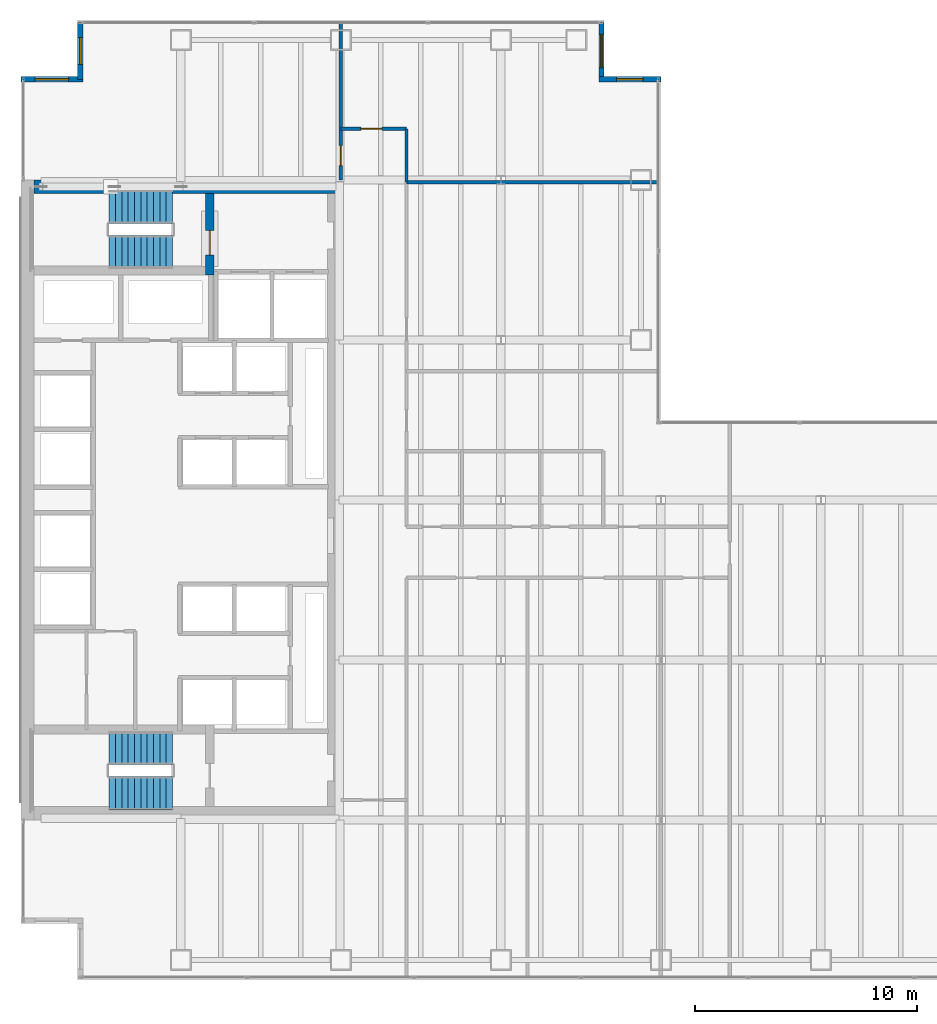
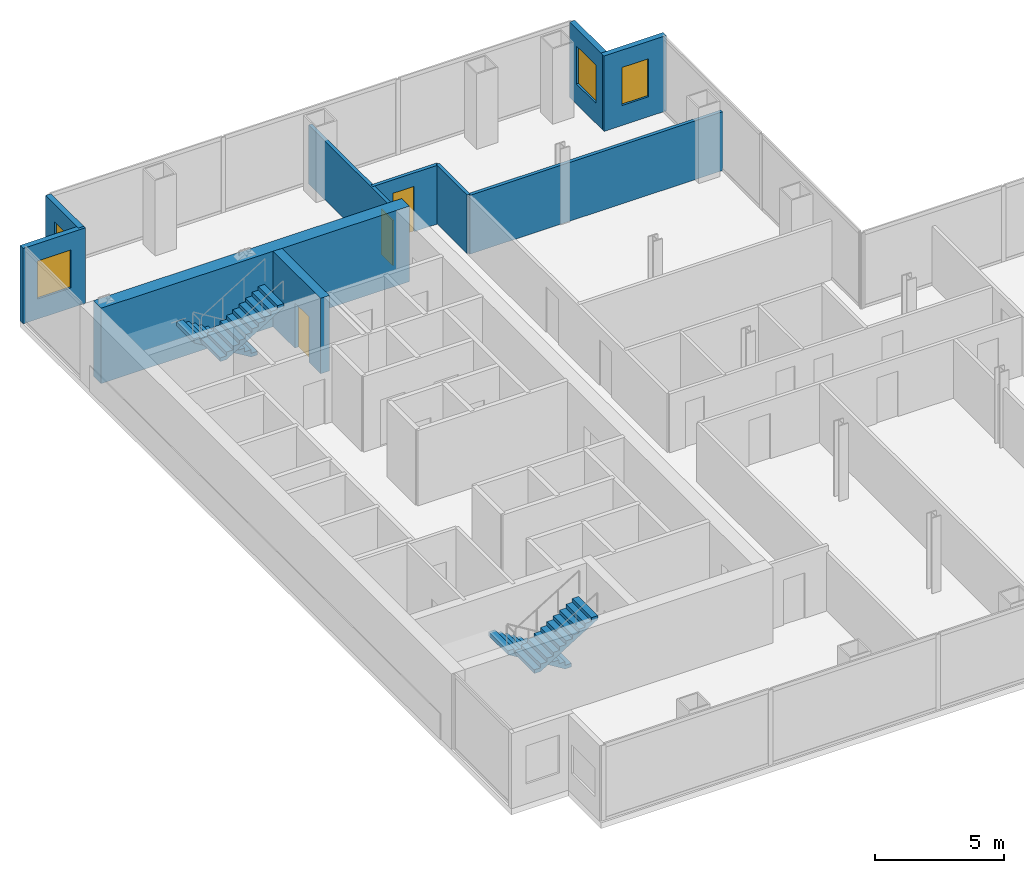
# One storey, part 22 of 23: 10 walls, 4 stair flights, 4 windows, 3 doors, 7 openings, 2 elements without a shape of their own.
"""IFC4 building model written with IfcOpenShell, lengths in metres."""

from ifc_helpers import new_model, si_unit, direction, frame, frame_2d, origin, place, context, subcontext, project, spatial, polyline, rectangle, outline, extrude, material, layer, layer_set, type_object, element, fill, aggregate, save


model = new_model("IFC4")

# Units and contexts
model_context = context("Model", 3, precision=1e-05, world=origin(), true_north=direction((0.0, 1.0)))
body_context = subcontext(model_context, "Body", "Model", "MODEL_VIEW")
ifc_project = project(units=[si_unit("LENGTHUNIT", "METRE"), si_unit("AREAUNIT", "SQUARE_METRE"), si_unit("VOLUMEUNIT", "CUBIC_METRE"), si_unit("PLANEANGLEUNIT", "RADIAN"), si_unit("MASSUNIT", "GRAM", prefix="KILO")], contexts=[model_context])

# Site, building, storey
site_placement = place(None, origin())
site = spatial("IfcSite", under=ifc_project, at=site_placement, CompositionType="ELEMENT")
building_placement = place(site_placement, origin())
building = spatial("IfcBuilding", under=site, at=building_placement, Name="Cobrela Telecom Tower", CompositionType="ELEMENT")
storey_placement = place(building_placement, frame((0.0, 0.0, 81.199951171875)))
storey = spatial("IfcBuildingStorey", under=building, at=storey_placement, Name="L20", CompositionType="ELEMENT", Elevation=81.199951171875)

# Wall
ifc_material_1 = material(Name="Concrete C50/60", Category="concrete")
ifc_layer_1 = layer(ifc_material_1, 0.60009765625)
ifc_layer_set_1 = layer_set([ifc_layer_1], Name="Concrete C50/60")
wall_type_1 = type_object("IfcWallType", Name="WALL-CORE-C50-600", PredefinedType="SHEAR", material=ifc_layer_set_1)
wall_1_placement = place(storey_placement, frame((0.60009765625, 35.699951171875, 0.0), z_axis=(0.0, 0.0, 1.0), x_axis=(1.0, 0.0, 0.0)))
element("IfcWall", 1, at=wall_1_placement, inside=storey, type_object=wall_type_1, Name="L20 North Core Shear Wall", PredefinedType="SHEAR", context=body_context, shape_type="SweptSolid", body=[
    extrude(rectangle(XDim=13.7998046875, YDim=0.60009765625, at=frame_2d((6.89990234375, 0.0))), origin(), (0.0, 0.0, 1.0), 3.570068359375),
])

# Wall, opening, window
ifc_material_2 = material(Name="Concrete C40/50", Category="concrete")
ifc_layer_2 = layer(ifc_material_2, 0.239990234375)
ifc_layer_set_2 = layer_set([ifc_layer_2], Name="Concrete C40/50")
wall_type_2 = type_object("IfcWallType", Name="WALL-EXT-300", PredefinedType="STANDARD", material=ifc_layer_set_2)
wall_2_placement = place(storey_placement, frame((0.0, 40.530029296875, 0.0), z_axis=(0.0, 0.0, 1.0), x_axis=(1.0, 0.0, 0.0)))
wall_2 = element("IfcWall", 2, at=wall_2_placement, inside=storey, type_object=wall_type_2, Name="L20 Insulated Facade Wall 05", PredefinedType="STANDARD", context=body_context, shape_type="SweptSolid", body=[
    extrude(rectangle(XDim=2.7900390625, YDim=0.239990234375, at=frame_2d((1.39501953125, 0.0))), origin(), (0.0, 0.0, 1.0), 3.570068359375),
])
opening_1_placement = place(wall_2_placement, frame((0.64501953125, 0.0, 0.949951171875)))
opening_1 = element("IfcOpeningElement", 3, at=opening_1_placement, cuts=wall_2, Name="Opening WN-45", PredefinedType="OPENING", context=body_context, shape_type="SweptSolid", body=[
    extrude(rectangle(XDim=1.5, YDim=1.800048828125, at=frame_2d((0.75, 0.89990234375))), frame((0.0, 0.1318359375, 0.0), z_axis=(0.0, -1.0, 0.0), x_axis=(1.0, 0.0, 0.0)), (0.0, 0.0, 1.0), 0.263916015625),
])
ifc_material_3 = material(Name="Solar-Control Bronze Low-E Glass", Category="glass")
window_type_1 = type_object("IfcWindowType", Name="WIN-MOD-1500", PartitioningType="SINGLE_PANEL", PredefinedType="WINDOW", material=ifc_material_3)
window_1_placement = place(opening_1_placement, origin())
window_1 = element("IfcWindow", 4, at=window_1_placement, inside=storey, type_object=window_type_1, Name="L20 Corner Notch Facade Window 092", OverallHeight=1.800048828125, OverallWidth=1.5, PartitioningType="SINGLE_PANEL", PredefinedType="WINDOW", context=body_context, shape_type="SweptSolid", body=[
    extrude(rectangle(XDim=1.5, YDim=1.800048828125, at=frame_2d((0.75, 0.89990234375))), frame((0.0, 0.030029296875, 0.0), z_axis=(0.0, -1.0, 0.0), x_axis=(1.0, 0.0, 0.0)), (0.0, 0.0, 1.0), 0.06005859375),
])
fill(opening_1, window_1)

wall_3_placement = place(storey_placement, frame((2.669921875, 40.530029296875, 0.0), z_axis=(0.0, 0.0, 1.0), x_axis=(0.0, 1.0, 0.0)))
wall_3 = element("IfcWall", 5, at=wall_3_placement, inside=storey, type_object=wall_type_2, Name="L20 Insulated Facade Wall 06", PredefinedType="STANDARD", context=body_context, shape_type="SweptSolid", body=[
    extrude(rectangle(XDim=2.550048828125, YDim=0.239990234375, at=frame_2d((1.27490234375, 0.0))), origin(), (0.0, 0.0, 1.0), 3.570068359375),
])
opening_2_placement = place(wall_3_placement, frame((0.675048828125, 0.0, 0.949951171875)))
opening_2 = element("IfcOpeningElement", 6, at=opening_2_placement, cuts=wall_3, Name="Opening WN-19", PredefinedType="OPENING", context=body_context, shape_type="SweptSolid", body=[
    extrude(rectangle(XDim=1.199951171875, YDim=1.800048828125, at=frame_2d((0.60009765625, 0.89990234375))), frame((0.0, 0.1318359375, 0.0), z_axis=(0.0, -1.0, 0.0), x_axis=(1.0, 0.0, 0.0)), (0.0, 0.0, 1.0), 0.263916015625),
])
window_type_2 = type_object("IfcWindowType", Name="WIN-MOD-1200", PartitioningType="SINGLE_PANEL", PredefinedType="WINDOW", material=ifc_material_3)
window_2_placement = place(opening_2_placement, origin())
window_2 = element("IfcWindow", 7, at=window_2_placement, inside=storey, type_object=window_type_2, Name="L20 Corner Notch Facade Window 093", OverallHeight=1.800048828125, OverallWidth=1.199951171875, PartitioningType="SINGLE_PANEL", PredefinedType="WINDOW", context=body_context, shape_type="SweptSolid", body=[
    extrude(rectangle(XDim=1.199951171875, YDim=1.800048828125, at=frame_2d((0.60009765625, 0.89990234375))), frame((0.0, 0.030029296875, 0.0), z_axis=(0.0, -1.0, 0.0), x_axis=(1.0, 0.0, 0.0)), (0.0, 0.0, 1.0), 0.06005859375),
])
fill(opening_2, window_2)

wall_4_placement = place(storey_placement, frame((26.1298828125, 43.080078125, 0.0), z_axis=(0.0, 0.0, 1.0), x_axis=(0.0, -1.0, 0.0)))
wall_4 = element("IfcWall", 8, at=wall_4_placement, inside=storey, type_object=wall_type_2, Name="L20 Insulated Facade Wall 08", PredefinedType="STANDARD", context=body_context, shape_type="SweptSolid", body=[
    extrude(rectangle(XDim=2.550048828125, YDim=0.239990234375, at=frame_2d((1.27490234375, 0.0))), origin(), (0.0, 0.0, 1.0), 3.570068359375),
])
opening_3_placement = place(wall_4_placement, frame((0.52490234375, 0.0, 0.949951171875)))
opening_3 = element("IfcOpeningElement", 9, at=opening_3_placement, cuts=wall_4, Name="Opening WN-45", PredefinedType="OPENING", context=body_context, shape_type="SweptSolid", body=[
    extrude(rectangle(XDim=1.5, YDim=1.800048828125, at=frame_2d((0.75, 0.89990234375))), frame((0.0, 0.1318359375, 0.0), z_axis=(0.0, -1.0, 0.0), x_axis=(1.0, 0.0, 0.0)), (0.0, 0.0, 1.0), 0.263916015625),
])
window_3_placement = place(opening_3_placement, origin())
window_3 = element("IfcWindow", 10, at=window_3_placement, inside=storey, type_object=window_type_1, Name="L20 Corner Notch Facade Window 094", OverallHeight=1.800048828125, OverallWidth=1.5, PartitioningType="SINGLE_PANEL", PredefinedType="WINDOW", context=body_context, shape_type="SweptSolid", body=[
    extrude(rectangle(XDim=1.5, YDim=1.800048828125, at=frame_2d((0.75, 0.89990234375))), frame((0.0, 0.030029296875, 0.0), z_axis=(0.0, -1.0, 0.0), x_axis=(1.0, 0.0, 0.0)), (0.0, 0.0, 1.0), 0.06005859375),
])
fill(opening_3, window_3)

wall_5_placement = place(storey_placement, frame((26.010009765625, 40.530029296875, 0.0), z_axis=(0.0, 0.0, 1.0), x_axis=(1.0, 0.0, 0.0)))
wall_5 = element("IfcWall", 11, at=wall_5_placement, inside=storey, type_object=wall_type_2, Name="L20 Insulated Facade Wall 09", PredefinedType="STANDARD", context=body_context, shape_type="SweptSolid", body=[
    extrude(rectangle(XDim=2.7900390625, YDim=0.239990234375, at=frame_2d((1.39501953125, 0.0))), origin(), (0.0, 0.0, 1.0), 3.570068359375),
])
opening_4_placement = place(wall_5_placement, frame((0.794921875, 0.0, 0.949951171875)))
opening_4 = element("IfcOpeningElement", 12, at=opening_4_placement, cuts=wall_5, Name="Opening WN-19", PredefinedType="OPENING", context=body_context, shape_type="SweptSolid", body=[
    extrude(rectangle(XDim=1.199951171875, YDim=1.800048828125, at=frame_2d((0.60009765625, 0.89990234375))), frame((0.0, 0.1318359375, 0.0), z_axis=(0.0, -1.0, 0.0), x_axis=(1.0, 0.0, 0.0)), (0.0, 0.0, 1.0), 0.263916015625),
])
window_4_placement = place(opening_4_placement, origin())
window_4 = element("IfcWindow", 13, at=window_4_placement, inside=storey, type_object=window_type_2, Name="L20 Corner Notch Facade Window 095", OverallHeight=1.800048828125, OverallWidth=1.199951171875, PartitioningType="SINGLE_PANEL", PredefinedType="WINDOW", context=body_context, shape_type="SweptSolid", body=[
    extrude(rectangle(XDim=1.199951171875, YDim=1.800048828125, at=frame_2d((0.60009765625, 0.89990234375))), frame((0.0, 0.030029296875, 0.0), z_axis=(0.0, -1.0, 0.0), x_axis=(1.0, 0.0, 0.0)), (0.0, 0.0, 1.0), 0.06005859375),
])
fill(opening_4, window_4)

# Wall, opening, door
ifc_material_4 = material(Name="Fire-Rated Gypsum Plasterboard")
ifc_layer_3 = layer(ifc_material_4, 0.14990234375)
ifc_layer_set_3 = layer_set([ifc_layer_3], Name="Fire-Rated Gypsum Plasterboard")
wall_type_3 = type_object("IfcWallType", Name="WALL-PART-150", PredefinedType="PARTITIONING", material=ifc_layer_set_3)
wall_6_placement = place(storey_placement, frame((14.39990234375, 36.0, 0.0), z_axis=(0.0, 0.0, 1.0), x_axis=(0.0, 1.0, 0.0)))
wall_6 = element("IfcWall", 14, at=wall_6_placement, inside=storey, type_object=wall_type_3, Name="L20 Interior Partition W-CN-W", PredefinedType="PARTITIONING", context=body_context, shape_type="SweptSolid", body=[
    extrude(rectangle(XDim=7.080078125, YDim=0.14990234375, at=frame_2d((3.5400390625, 0.0))), origin(), (0.0, 0.0, 1.0), 2.782958984375),
])
opening_5_placement = place(wall_6_placement, frame((0.64990234375, 0.0, 0.0)))
opening_5 = element("IfcOpeningElement", 15, at=opening_5_placement, cuts=wall_6, Name="Opening DR-41", PredefinedType="OPENING", context=body_context, shape_type="SweptSolid", body=[
    extrude(rectangle(XDim=0.89990234375, YDim=2.14990234375, at=frame_2d((0.449951171875, 1.074951171875))), frame((0.0, 0.0869140625, 0.0), z_axis=(0.0, -1.0, 0.0), x_axis=(1.0, 0.0, 0.0)), (0.0, 0.0, 1.0), 0.173828125),
])
ifc_material_5 = material(Name="Solid Engineered Oak Timber", Category="wood")
door_type_1 = type_object("IfcDoorType", Name="DOOR-INT-900", OperationType="SINGLE_SWING_LEFT", PredefinedType="DOOR", material=ifc_material_5)
door_1_placement = place(opening_5_placement, origin())
door_1 = element("IfcDoor", 16, at=door_1_placement, inside=storey, type_object=door_type_1, Name="L20 Door DR-41", OperationType="SINGLE_SWING_LEFT", OverallHeight=2.14990234375, OverallWidth=0.89990234375, PredefinedType="DOOR", context=body_context, shape_type="SweptSolid", body=[
    extrude(rectangle(XDim=0.89990234375, YDim=2.14990234375, at=frame_2d((0.449951171875, 1.074951171875))), frame((0.0, 0.02490234375, 0.0), z_axis=(0.0, -1.0, 0.0), x_axis=(1.0, 0.0, 0.0)), (0.0, 0.0, 1.0), 0.050048828125),
])
fill(opening_5, door_1)

# Wall
wall_7_placement = place(storey_placement, frame((17.35009765625, 35.89990234375, 0.0), z_axis=(0.0, 0.0, 1.0), x_axis=(0.0, 1.0, 0.0)))
element("IfcWall", 17, at=wall_7_placement, inside=storey, type_object=wall_type_3, Name="L20 Interior Partition W-CN-E", PredefinedType="PARTITIONING", context=body_context, shape_type="SweptSolid", body=[
    extrude(rectangle(XDim=2.400146484375, YDim=0.14990234375, at=frame_2d((1.2001953125, 0.0))), origin(), (0.0, 0.0, 1.0), 2.782958984375),
])

# Wall, opening, door
wall_8_placement = place(storey_placement, frame((14.39990234375, 38.300048828125, 0.0), z_axis=(0.0, 0.0, 1.0), x_axis=(1.0, 0.0, 0.0)))
wall_8 = element("IfcWall", 18, at=wall_8_placement, inside=storey, type_object=wall_type_3, Name="L20 Interior Partition W-CN-T", PredefinedType="PARTITIONING", context=body_context, shape_type="SweptSolid", body=[
    extrude(rectangle(XDim=2.9501953125, YDim=0.14990234375, at=frame_2d((1.47509765625, 0.0))), origin(), (0.0, 0.0, 1.0), 2.782958984375),
])
opening_6_placement = place(wall_8_placement, frame((0.89990234375, 0.0, 0.0)))
opening_6 = element("IfcOpeningElement", 19, at=opening_6_placement, cuts=wall_8, Name="Opening DR-67", PredefinedType="OPENING", context=body_context, shape_type="SweptSolid", body=[
    extrude(rectangle(XDim=0.949951171875, YDim=2.14990234375, at=frame_2d((0.47509765625, 1.074951171875))), frame((0.0, 0.0869140625, 0.0), z_axis=(0.0, -1.0, 0.0), x_axis=(1.0, 0.0, 0.0)), (0.0, 0.0, 1.0), 0.173828125),
])
door_type_2 = type_object("IfcDoorType", Name="DOOR-INT-950", OperationType="SINGLE_SWING_LEFT", PredefinedType="DOOR", material=ifc_material_5)
door_2_placement = place(opening_6_placement, origin())
door_2 = element("IfcDoor", 20, at=door_2_placement, inside=storey, type_object=door_type_2, Name="L20 Door DR-67", OperationType="SINGLE_SWING_RIGHT", OverallHeight=2.14990234375, OverallWidth=0.949951171875, PredefinedType="DOOR", context=body_context, shape_type="SweptSolid", body=[
    extrude(rectangle(XDim=0.949951171875, YDim=2.14990234375, at=frame_2d((0.47509765625, 1.074951171875))), frame((0.0, 0.02490234375, 0.0), z_axis=(0.0, -1.0, 0.0), x_axis=(1.0, 0.0, 0.0)), (0.0, 0.0, 1.0), 0.050048828125),
])
fill(opening_6, door_2)

# Wall
wall_9_placement = place(storey_placement, frame((17.35009765625, 35.89990234375, 0.0), z_axis=(0.0, 0.0, 1.0), x_axis=(1.0, 0.0, 0.0)))
element("IfcWall", 21, at=wall_9_placement, inside=storey, type_object=wall_type_3, Name="L20 Interior Partition W-NW2-S", PredefinedType="PARTITIONING", context=body_context, shape_type="SweptSolid", body=[
    extrude(rectangle(XDim=11.329833984375, YDim=0.14990234375, at=frame_2d((5.6650390625, 0.0))), origin(), (0.0, 0.0, 1.0), 2.782958984375),
])

# Wall, opening, door
ifc_layer_4 = layer(ifc_material_2, 0.39990234375)
ifc_layer_set_4 = layer_set([ifc_layer_4], Name="Concrete C40/50")
wall_type_4 = type_object("IfcWallType", Name="WALL-SHAFT-C40-400", PredefinedType="SHEAR", material=ifc_layer_set_4)
wall_10_placement = place(storey_placement, frame((8.5, 31.719970703125, 0.0), z_axis=(0.0, 0.0, 1.0), x_axis=(0.0, 1.0, 0.0)))
wall_10 = element("IfcWall", 22, at=wall_10_placement, inside=storey, type_object=wall_type_4, Name="L20 North Stair Lobby Shear Wall", PredefinedType="SHEAR", context=body_context, shape_type="SweptSolid", body=[
    extrude(rectangle(XDim=3.679931640625, YDim=0.39990234375, at=frame_2d((1.83984375, 0.0))), origin(), (0.0, 0.0, 1.0), 3.570068359375),
])
opening_7_placement = place(wall_10_placement, frame((0.89990234375, 0.0, 0.0)))
opening_7 = element("IfcOpeningElement", 23, at=opening_7_placement, cuts=wall_10, Name="Opening DR-59", PredefinedType="OPENING", context=body_context, shape_type="SweptSolid", body=[
    extrude(rectangle(XDim=1.10009765625, YDim=2.14990234375, at=frame_2d((0.550048828125, 1.074951171875))), frame((0.0, 0.2119140625, 0.0), z_axis=(0.0, -1.0, 0.0), x_axis=(1.0, 0.0, 0.0)), (0.0, 0.0, 1.0), 0.423828125),
])
ifc_material_6 = material(Name="Steel ASTM A36", Category="steel")
door_type_3 = type_object("IfcDoorType", Name="DOOR-FD60-1100", OperationType="SINGLE_SWING_LEFT", PredefinedType="DOOR", material=ifc_material_6)
door_3_placement = place(opening_7_placement, origin())
door_3 = element("IfcDoor", 24, at=door_3_placement, inside=storey, type_object=door_type_3, Name="L20 Door DR-59", OperationType="SINGLE_SWING_RIGHT", OverallHeight=2.14990234375, OverallWidth=1.10009765625, PredefinedType="DOOR", context=body_context, shape_type="SweptSolid", body=[
    extrude(rectangle(XDim=1.10009765625, YDim=2.14990234375, at=frame_2d((0.550048828125, 1.074951171875))), frame((0.0, 0.02490234375, 0.0), z_axis=(0.0, -1.0, 0.0), x_axis=(1.0, 0.0, 0.0)), (0.0, 0.0, 1.0), 0.050048828125),
])
fill(opening_7, door_3)

# Stair, stair flights
stair_type = type_object("IfcStairType", Name="STAIR-CORE", PredefinedType="HALF_TURN_STAIR", material=ifc_material_2)
stair_1_placement = place(storey_placement, origin())
stair_1 = element("IfcStair", 25, at=stair_1_placement, inside=storey, type_object=stair_type, Name="L20 Smokeproof Exit Stair ST1", PredefinedType="HALF_TURN_STAIR")
stair_flight_type = type_object("IfcStairFlightType", Name="FLIGHT-CORE", PredefinedType="STRAIGHT", material=ifc_material_2)
stair_flight_1_placement = place(storey_placement, frame((6.820068359375, 34.800048828125, 0.0), z_axis=(0.0, 0.0, 1.0), x_axis=(-1.0, 0.0, 0.0)))
stair_flight_1 = element("IfcStairFlight", 26, at=stair_flight_1_placement, type_object=stair_flight_type, Name="ST1 flight 1", NumberOfRisers=11, NumberOfTreads=10, PredefinedType="STRAIGHT", RiserHeight=0.175, TreadLength=0.285, context=body_context, shape_type="SweptSolid", body=[
    extrude(outline(polyline([(0.0, 0.0), (0.0, 0.175048828125), (0.284912109375, 0.175048828125), (0.284912109375, 0.35009765625), (0.570068359375, 0.35009765625), (0.570068359375, 0.52490234375), (0.85498046875, 0.52490234375), (0.85498046875, 0.699951171875), (1.139892578125, 0.699951171875), (1.139892578125, 0.875), (1.425048828125, 0.875), (1.425048828125, 1.050048828125), (1.7099609375, 1.050048828125), (1.7099609375, 1.22509765625), (1.9951171875, 1.22509765625), (1.9951171875, 1.39990234375), (2.280029296875, 1.39990234375), (2.280029296875, 1.574951171875), (2.56494140625, 1.574951171875), (2.56494140625, 1.75), (2.85009765625, 1.75), (2.85009765625, 1.925048828125), (2.85009765625, 1.573974609375), (0.286376953125, 0.0), (0.0, 0.0)])), frame((0.0, 0.75, 0.0), z_axis=(0.0, -1.0, 0.0), x_axis=(1.0, 0.0, 0.0)), (0.0, 0.0, 1.0), 1.5),
])
stair_flight_2_placement = place(storey_placement, frame((3.969970703125, 32.75, 1.925048828125), z_axis=(0.0, 0.0, 1.0), x_axis=(1.0, 0.0, 0.0)))
stair_flight_2 = element("IfcStairFlight", 27, at=stair_flight_2_placement, type_object=stair_flight_type, Name="ST1 flight 2", NumberOfRisers=11, NumberOfTreads=10, PredefinedType="STRAIGHT", RiserHeight=0.175, TreadLength=0.285, context=body_context, shape_type="SweptSolid", body=[
    extrude(outline(polyline([(0.0, 0.0), (0.0, 0.175048828125), (0.284912109375, 0.175048828125), (0.284912109375, 0.35009765625), (0.570068359375, 0.35009765625), (0.570068359375, 0.52490234375), (0.85498046875, 0.52490234375), (0.85498046875, 0.699951171875), (1.139892578125, 0.699951171875), (1.139892578125, 0.875), (1.425048828125, 0.875), (1.425048828125, 1.050048828125), (1.7099609375, 1.050048828125), (1.7099609375, 1.22509765625), (1.9951171875, 1.22509765625), (1.9951171875, 1.39990234375), (2.280029296875, 1.39990234375), (2.280029296875, 1.574951171875), (2.56494140625, 1.574951171875), (2.56494140625, 1.75), (2.85009765625, 1.75), (2.85009765625, 1.925048828125), (2.85009765625, 1.573974609375), (0.286376953125, 0.0), (0.0, 0.0)])), frame((0.0, 0.75, 0.0), z_axis=(0.0, -1.0, 0.0), x_axis=(1.0, 0.0, 0.0)), (0.0, 0.0, 1.0), 1.5),
])
aggregate(stair_1, [stair_flight_1, stair_flight_2])

stair_2_placement = place(storey_placement, origin())
stair_2 = element("IfcStair", 28, at=stair_2_placement, inside=storey, type_object=stair_type, Name="L20 Smokeproof Exit Stair ST2", PredefinedType="HALF_TURN_STAIR")
stair_flight_3_placement = place(storey_placement, frame((6.820068359375, 10.449951171875, 0.0), z_axis=(0.0, 0.0, 1.0), x_axis=(-1.0, 0.0, 0.0)))
stair_flight_3 = element("IfcStairFlight", 29, at=stair_flight_3_placement, type_object=stair_flight_type, Name="ST2 flight 1", NumberOfRisers=11, NumberOfTreads=10, PredefinedType="STRAIGHT", RiserHeight=0.175, TreadLength=0.285, context=body_context, shape_type="SweptSolid", body=[
    extrude(outline(polyline([(0.0, 0.0), (0.0, 0.175048828125), (0.284912109375, 0.175048828125), (0.284912109375, 0.35009765625), (0.570068359375, 0.35009765625), (0.570068359375, 0.52490234375), (0.85498046875, 0.52490234375), (0.85498046875, 0.699951171875), (1.139892578125, 0.699951171875), (1.139892578125, 0.875), (1.425048828125, 0.875), (1.425048828125, 1.050048828125), (1.7099609375, 1.050048828125), (1.7099609375, 1.22509765625), (1.9951171875, 1.22509765625), (1.9951171875, 1.39990234375), (2.280029296875, 1.39990234375), (2.280029296875, 1.574951171875), (2.56494140625, 1.574951171875), (2.56494140625, 1.75), (2.85009765625, 1.75), (2.85009765625, 1.925048828125), (2.85009765625, 1.573974609375), (0.286376953125, 0.0), (0.0, 0.0)])), frame((0.0, 0.75, 0.0), z_axis=(0.0, -1.0, 0.0), x_axis=(1.0, 0.0, 0.0)), (0.0, 0.0, 1.0), 1.5),
])
stair_flight_4_placement = place(storey_placement, frame((3.969970703125, 8.39990234375, 1.925048828125), z_axis=(0.0, 0.0, 1.0), x_axis=(1.0, 0.0, 0.0)))
stair_flight_4 = element("IfcStairFlight", 30, at=stair_flight_4_placement, type_object=stair_flight_type, Name="ST2 flight 2", NumberOfRisers=11, NumberOfTreads=10, PredefinedType="STRAIGHT", RiserHeight=0.175, TreadLength=0.285, context=body_context, shape_type="SweptSolid", body=[
    extrude(outline(polyline([(0.0, 0.0), (0.0, 0.175048828125), (0.284912109375, 0.175048828125), (0.284912109375, 0.35009765625), (0.570068359375, 0.35009765625), (0.570068359375, 0.52490234375), (0.85498046875, 0.52490234375), (0.85498046875, 0.699951171875), (1.139892578125, 0.699951171875), (1.139892578125, 0.875), (1.425048828125, 0.875), (1.425048828125, 1.050048828125), (1.7099609375, 1.050048828125), (1.7099609375, 1.22509765625), (1.9951171875, 1.22509765625), (1.9951171875, 1.39990234375), (2.280029296875, 1.39990234375), (2.280029296875, 1.574951171875), (2.56494140625, 1.574951171875), (2.56494140625, 1.75), (2.85009765625, 1.75), (2.85009765625, 1.925048828125), (2.85009765625, 1.573974609375), (0.286376953125, 0.0), (0.0, 0.0)])), frame((0.0, 0.75, 0.0), z_axis=(0.0, -1.0, 0.0), x_axis=(1.0, 0.0, 0.0)), (0.0, 0.0, 1.0), 1.5),
])
aggregate(stair_2, [stair_flight_3, stair_flight_4])

save(model, "model.ifc")
